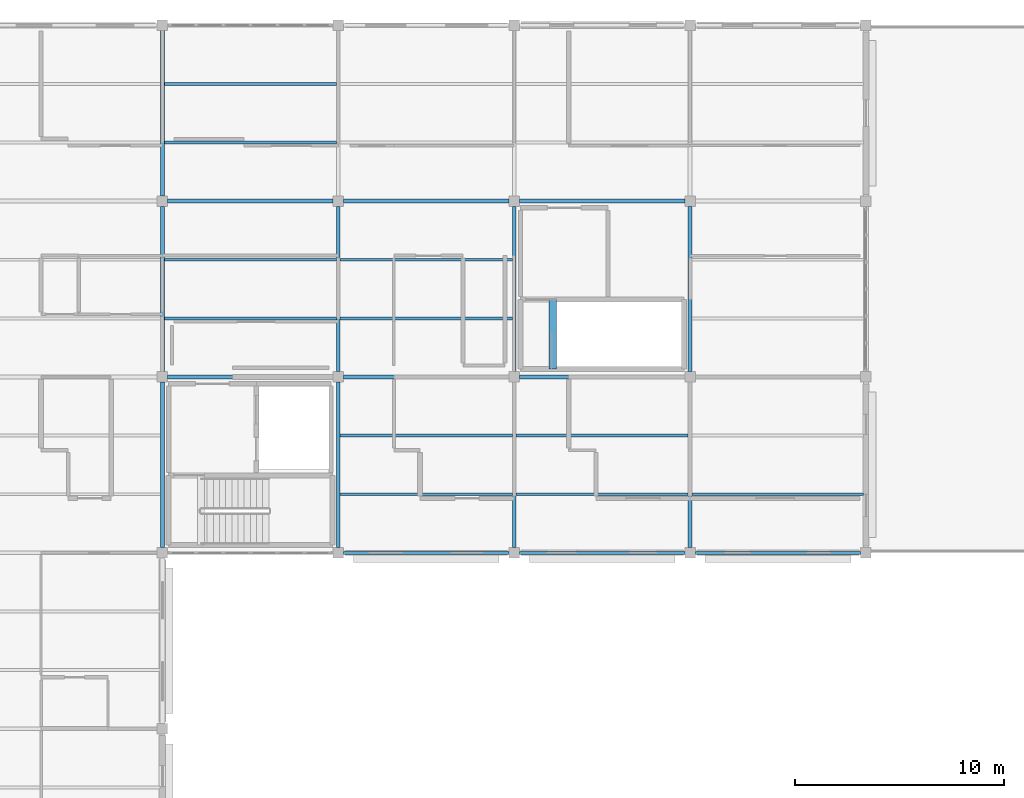
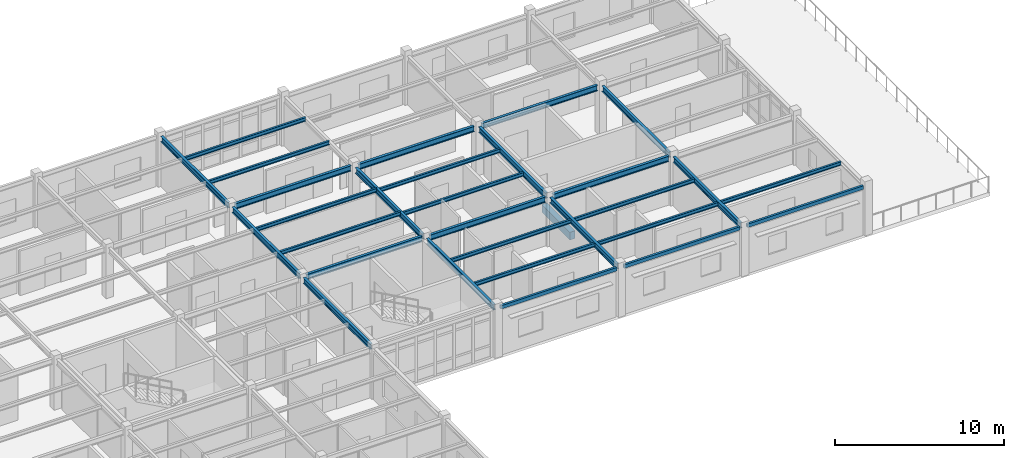
# One storey, part 21 of 53: 30 beams.
"""IFC4 building model written with IfcOpenShell, lengths in metres."""

from ifc_helpers import new_model, si_unit, direction, frame, origin, origin_2d, place, context, subcontext, project, spatial, rectangle, hollow_rectangle, i_section, extrude, material, material_profile, profile_set, type_object, element, save


model = new_model("IFC4")

# Units and contexts
model_context = context("Model", 3, precision=1e-05, world=origin(), true_north=direction((0.0, 1.0)))
body_context = subcontext(model_context, "Body", "Model", "MODEL_VIEW")
ifc_project = project(units=[si_unit("LENGTHUNIT", "METRE"), si_unit("AREAUNIT", "SQUARE_METRE"), si_unit("VOLUMEUNIT", "CUBIC_METRE"), si_unit("PLANEANGLEUNIT", "RADIAN"), si_unit("MASSUNIT", "GRAM", prefix="KILO")], contexts=[model_context])

# Site, building, storey
site_placement = place(None, origin())
site = spatial("IfcSite", under=ifc_project, at=site_placement, CompositionType="ELEMENT")
building_placement = place(site_placement, origin())
building = spatial("IfcBuilding", under=site, at=building_placement, Name="Bramfleet General Hospital", CompositionType="ELEMENT")
storey_placement = place(building_placement, frame((0.0, 0.0, 26.39990234375)))
storey = spatial("IfcBuildingStorey", under=building, at=storey_placement, Name="L06", CompositionType="ELEMENT", Elevation=26.39990234375)

# Beams
ifc_material_1 = material(Name="Steel S355", Category="steel")
ifc_material_profile_1 = material_profile(ifc_material_1, i_section(OverallWidth=0.135009765625, OverallDepth=0.27001953125, WebThickness=0.006591796875, FlangeThickness=0.01025390625, FilletRadius=0.014892578125, at=origin_2d()), Name="IPE 270")
ifc_profile_set_1 = profile_set([ifc_material_profile_1], Name="Steel S355")
beam_type_1 = type_object("IfcBeamType", Name="BM-IPE270", PredefinedType="JOIST", material=ifc_profile_set_1)
for number, where, z_axis, x_axis, name in (
    (1, (117.68994140625, 103.60009765625, 3.485107421875), (1.0, 0.0, 0.0), (0.0, 1.0, 0.0), "L06 Secondary Joist 14-12-1"),
    (2, (117.68994140625, 106.39990234375, 3.485107421875), (1.0, 0.0, 0.0), (0.0, 1.0, 0.0), "L06 Secondary Joist 14-12-2"),
    (3, (117.68994140625, 112.0, 3.485107421875), (1.0, 0.0, 0.0), (0.0, 1.0, 0.0), "L06 Secondary Joist 14-13-1"),
    (4, (117.68994140625, 114.800048828125, 3.485107421875), (1.0, 0.0, 0.0), (0.0, 1.0, 0.0), "L06 Secondary Joist 14-13-2"),
    (5, (126.090087890625, 95.199951171875, 3.385009765625), (1.0, 0.0, 0.0), (0.0, 1.0, 0.0), "L06 Secondary Joist 15-11-1"),
    (6, (126.090087890625, 98.0, 3.385009765625), (1.0, 0.0, 0.0), (0.0, 1.0, 0.0), "L06 Secondary Joist 15-11-2"),
    (7, (126.090087890625, 103.60009765625, 3.385009765625), (1.0, 0.0, 0.0), (0.0, 1.0, 0.0), "L06 Secondary Joist 15-12-1"),
    (8, (126.090087890625, 106.39990234375, 3.385009765625), (1.0, 0.0, 0.0), (0.0, 1.0, 0.0), "L06 Secondary Joist 15-12-2"),
    (9, (134.489990234375, 95.199951171875, 3.385009765625), (1.0, 0.0, 0.0), (0.0, 1.0, 0.0), "L06 Secondary Joist 16-11-1"),
    (10, (134.489990234375, 98.0, 3.385009765625), (1.0, 0.0, 0.0), (0.0, 1.0, 0.0), "L06 Secondary Joist 16-11-2"),
):
    element("IfcBeam", number, at=place(storey_placement, frame(where, z_axis=z_axis, x_axis=x_axis)), inside=storey, type_object=beam_type_1, Name=name, PredefinedType="JOIST", context=body_context, shape_type="SweptSolid", body=[
        extrude(i_section(OverallWidth=0.135009765625, OverallDepth=0.27001953125, WebThickness=0.006591796875, FlangeThickness=0.01025390625, FilletRadius=0.014892578125, at=origin_2d()), origin(), (0.0, 0.0, 1.0), 8.219970703125),
    ])
beam_1_placement = place(storey_placement, frame((142.889892578125, 95.199951171875, 3.385009765625), z_axis=(1.0, 0.0, 0.0), x_axis=(0.0, 1.0, 0.0)))
element("IfcBeam", 11, at=beam_1_placement, inside=storey, type_object=beam_type_1, Name="L06 Secondary Joist 17-11-1", PredefinedType="JOIST", context=body_context, shape_type="SweptSolid", body=[
    extrude(i_section(OverallWidth=0.135009765625, OverallDepth=0.27001953125, WebThickness=0.006591796875, FlangeThickness=0.01025390625, FilletRadius=0.014892578125, at=origin_2d()), origin(), (0.0, 0.0, 1.0), 8.190185546875),
])
ifc_material_profile_2 = material_profile(ifc_material_1, i_section(OverallWidth=0.179931640625, OverallDepth=0.39990234375, WebThickness=0.008544921875, FlangeThickness=0.013427734375, FilletRadius=0.02099609375, at=origin_2d()), Name="IPE 400")
ifc_profile_set_2 = profile_set([ifc_material_profile_2], Name="Steel S355")
beam_type_2 = type_object("IfcBeamType", Name="BM-IPE400", PredefinedType="BEAM", material=ifc_profile_set_2)
for number, where, z_axis, x_axis, name in (
    (12, (117.85009765625, 100.800048828125, 3.420166015625), (1.0, 0.0, 0.0), (0.0, 1.0, 0.0), "L06 Grid Beam X 14-12"),
    (13, (117.85009765625, 109.199951171875, 3.420166015625), (1.0, 0.0, 0.0), (0.0, 1.0, 0.0), "L06 Grid Beam X 14-13"),
    (14, (126.25, 100.800048828125, 3.320068359375), (1.0, 0.0, 0.0), (0.0, 1.0, 0.0), "L06 Grid Beam X 15-12"),
    (15, (126.25, 109.199951171875, 3.320068359375), (1.0, 0.0, 0.0), (0.0, 1.0, 0.0), "L06 Grid Beam X 15-13"),
):
    element("IfcBeam", number, at=place(storey_placement, frame(where, z_axis=z_axis, x_axis=x_axis)), inside=storey, type_object=beam_type_2, Name=name, PredefinedType="BEAM", context=body_context, shape_type="SweptSolid", body=[
        extrude(i_section(OverallWidth=0.179931640625, OverallDepth=0.39990234375, WebThickness=0.008544921875, FlangeThickness=0.013427734375, FilletRadius=0.02099609375, at=origin_2d()), origin(), (0.0, 0.0, 1.0), 7.89990234375),
    ])
for number, where, z_axis, x_axis, name in (
    (16, (134.64990234375, 100.800048828125, 3.320068359375), (1.0, 0.0, 0.0), (0.0, 1.0, 0.0), "L06 Grid Beam X 16-12"),
    (17, (134.64990234375, 109.199951171875, 3.320068359375), (1.0, 0.0, 0.0), (0.0, 1.0, 0.0), "L06 Grid Beam X 16-13"),
    (18, (117.60009765625, 92.64990234375, 3.420166015625), (0.0, 1.0, 0.0), (-1.0, 0.0, 0.0), "L06 Grid Beam Y 14-11"),
):
    element("IfcBeam", number, at=place(storey_placement, frame(where, z_axis=z_axis, x_axis=x_axis)), inside=storey, type_object=beam_type_2, Name=name, PredefinedType="BEAM", context=body_context, shape_type="SweptSolid", body=[
        extrude(i_section(OverallWidth=0.179931640625, OverallDepth=0.39990234375, WebThickness=0.008544921875, FlangeThickness=0.013427734375, FilletRadius=0.02099609375, at=origin_2d()), origin(), (0.0, 0.0, 1.0), 7.900146484375),
    ])
beam_2_placement = place(storey_placement, frame((117.60009765625, 101.050048828125, 3.420166015625), z_axis=(0.0, 1.0, 0.0), x_axis=(-1.0, 0.0, 0.0)))
element("IfcBeam", 19, at=beam_2_placement, inside=storey, type_object=beam_type_2, Name="L06 Grid Beam Y 14-12", PredefinedType="BEAM", context=body_context, shape_type="SweptSolid", body=[
    extrude(i_section(OverallWidth=0.179931640625, OverallDepth=0.39990234375, WebThickness=0.008544921875, FlangeThickness=0.013427734375, FilletRadius=0.02099609375, at=origin_2d()), origin(), (0.0, 0.0, 1.0), 7.89990234375),
])
for number, where, z_axis, x_axis, name in (
    (20, (117.60009765625, 109.449951171875, 3.420166015625), (0.0, 1.0, 0.0), (-1.0, 0.0, 0.0), "L06 Grid Beam Y 14-13"),
    (21, (126.0, 92.64990234375, 3.320068359375), (0.0, 1.0, 0.0), (-1.0, 0.0, 0.0), "L06 Grid Beam Y 15-11"),
):
    element("IfcBeam", number, at=place(storey_placement, frame(where, z_axis=z_axis, x_axis=x_axis)), inside=storey, type_object=beam_type_2, Name=name, PredefinedType="BEAM", context=body_context, shape_type="SweptSolid", body=[
        extrude(i_section(OverallWidth=0.179931640625, OverallDepth=0.39990234375, WebThickness=0.008544921875, FlangeThickness=0.013427734375, FilletRadius=0.02099609375, at=origin_2d()), origin(), (0.0, 0.0, 1.0), 7.900146484375),
    ])
beam_3_placement = place(storey_placement, frame((126.0, 101.050048828125, 3.320068359375), z_axis=(0.0, 1.0, 0.0), x_axis=(-1.0, 0.0, 0.0)))
element("IfcBeam", 22, at=beam_3_placement, inside=storey, type_object=beam_type_2, Name="L06 Grid Beam Y 15-12", PredefinedType="BEAM", context=body_context, shape_type="SweptSolid", body=[
    extrude(i_section(OverallWidth=0.179931640625, OverallDepth=0.39990234375, WebThickness=0.008544921875, FlangeThickness=0.013427734375, FilletRadius=0.02099609375, at=origin_2d()), origin(), (0.0, 0.0, 1.0), 7.89990234375),
])
beam_4_placement = place(storey_placement, frame((134.39990234375, 92.64990234375, 3.320068359375), z_axis=(0.0, 1.0, 0.0), x_axis=(-1.0, 0.0, 0.0)))
element("IfcBeam", 23, at=beam_4_placement, inside=storey, type_object=beam_type_2, Name="L06 Grid Beam Y 16-11", PredefinedType="BEAM", context=body_context, shape_type="SweptSolid", body=[
    extrude(i_section(OverallWidth=0.179931640625, OverallDepth=0.39990234375, WebThickness=0.008544921875, FlangeThickness=0.013427734375, FilletRadius=0.02099609375, at=origin_2d()), origin(), (0.0, 0.0, 1.0), 7.900146484375),
])
beam_5_placement = place(storey_placement, frame((134.39990234375, 101.050048828125, 3.320068359375), z_axis=(0.0, 1.0, 0.0), x_axis=(-1.0, 0.0, 0.0)))
element("IfcBeam", 24, at=beam_5_placement, inside=storey, type_object=beam_type_2, Name="L06 Grid Beam Y 16-12", PredefinedType="BEAM", context=body_context, shape_type="SweptSolid", body=[
    extrude(i_section(OverallWidth=0.179931640625, OverallDepth=0.39990234375, WebThickness=0.008544921875, FlangeThickness=0.013427734375, FilletRadius=0.02099609375, at=origin_2d()), origin(), (0.0, 0.0, 1.0), 7.89990234375),
])
beam_6_placement = place(storey_placement, frame((142.800048828125, 92.64990234375, 3.320068359375), z_axis=(0.0, 1.0, 0.0), x_axis=(-1.0, 0.0, 0.0)))
element("IfcBeam", 25, at=beam_6_placement, inside=storey, type_object=beam_type_2, Name="L06 Grid Beam Y 17-11", PredefinedType="BEAM", context=body_context, shape_type="SweptSolid", body=[
    extrude(i_section(OverallWidth=0.179931640625, OverallDepth=0.39990234375, WebThickness=0.008544921875, FlangeThickness=0.013427734375, FilletRadius=0.02099609375, at=origin_2d()), origin(), (0.0, 0.0, 1.0), 7.900146484375),
])
beam_7_placement = place(storey_placement, frame((142.800048828125, 101.050048828125, 3.320068359375), z_axis=(0.0, 1.0, 0.0), x_axis=(-1.0, 0.0, 0.0)))
element("IfcBeam", 26, at=beam_7_placement, inside=storey, type_object=beam_type_2, Name="L06 Grid Beam Y 17-12", PredefinedType="BEAM", context=body_context, shape_type="SweptSolid", body=[
    extrude(i_section(OverallWidth=0.179931640625, OverallDepth=0.39990234375, WebThickness=0.008544921875, FlangeThickness=0.013427734375, FilletRadius=0.02099609375, at=origin_2d()), origin(), (0.0, 0.0, 1.0), 7.89990234375),
])
ifc_material_2 = material(Name="Concrete C35/45", Category="concrete")
ifc_material_profile_3 = material_profile(ifc_material_2, rectangle(XDim=0.35009765625, YDim=0.550048828125, at=origin_2d()), Name="RC BM 550x350")
ifc_profile_set_3 = profile_set([ifc_material_profile_3], Name="Concrete C35/45")
beam_type_3 = type_object("IfcBeamType", Name="BM-RC550", PredefinedType="BEAM", material=ifc_profile_set_3)
beam_8_placement = place(storey_placement, frame((136.239990234375, 101.179931640625, -0.27490234375), z_axis=(0.0, 1.0, 0.0), x_axis=(-1.0, 0.0, 0.0)))
element("IfcBeam", 27, at=beam_8_placement, inside=storey, type_object=beam_type_3, Name="L06 C9 Stairwell Trimmer Beam", PredefinedType="BEAM", context=body_context, shape_type="SweptSolid", body=[
    extrude(rectangle(XDim=0.35009765625, YDim=0.550048828125, at=origin_2d()), origin(), (0.0, 0.0, 1.0), 3.320068359375),
])
ifc_material_profile_4 = material_profile(ifc_material_1, hollow_rectangle(XDim=0.14990234375, YDim=0.25, WallThickness=0.010009765625, at=origin_2d()), Name="RHS 250x150x10.0")
ifc_profile_set_4 = profile_set([ifc_material_profile_4], Name="Steel S355")
beam_type_4 = type_object("IfcBeamType", Name="BM-RHS250", PredefinedType="SPANDREL", material=ifc_profile_set_4)
beam_9_placement = place(storey_placement, frame((126.25, 92.39990234375, 3.39501953125), z_axis=(1.0, 0.0, 0.0), x_axis=(0.0, 1.0, 0.0)))
element("IfcBeam", 28, at=beam_9_placement, inside=storey, type_object=beam_type_4, Name="L06 Grid Beam X 15-11", PredefinedType="SPANDREL", context=body_context, shape_type="SweptSolid", body=[
    extrude(hollow_rectangle(XDim=0.14990234375, YDim=0.25, WallThickness=0.010009765625, at=origin_2d()), origin(), (0.0, 0.0, 1.0), 7.89990234375),
])
beam_10_placement = place(storey_placement, frame((134.64990234375, 92.39990234375, 3.39501953125), z_axis=(1.0, 0.0, 0.0), x_axis=(0.0, 1.0, 0.0)))
element("IfcBeam", 29, at=beam_10_placement, inside=storey, type_object=beam_type_4, Name="L06 Grid Beam X 16-11", PredefinedType="SPANDREL", context=body_context, shape_type="SweptSolid", body=[
    extrude(hollow_rectangle(XDim=0.14990234375, YDim=0.25, WallThickness=0.010009765625, at=origin_2d()), origin(), (0.0, 0.0, 1.0), 7.900146484375),
])
beam_11_placement = place(storey_placement, frame((143.050048828125, 92.39990234375, 3.39501953125), z_axis=(1.0, 0.0, 0.0), x_axis=(0.0, 1.0, 0.0)))
element("IfcBeam", 30, at=beam_11_placement, inside=storey, type_object=beam_type_4, Name="L06 Grid Beam X 17-11", PredefinedType="SPANDREL", context=body_context, shape_type="SweptSolid", body=[
    extrude(hollow_rectangle(XDim=0.14990234375, YDim=0.25, WallThickness=0.010009765625, at=origin_2d()), origin(), (0.0, 0.0, 1.0), 7.89990234375),
])

save(model, "model.ifc")
